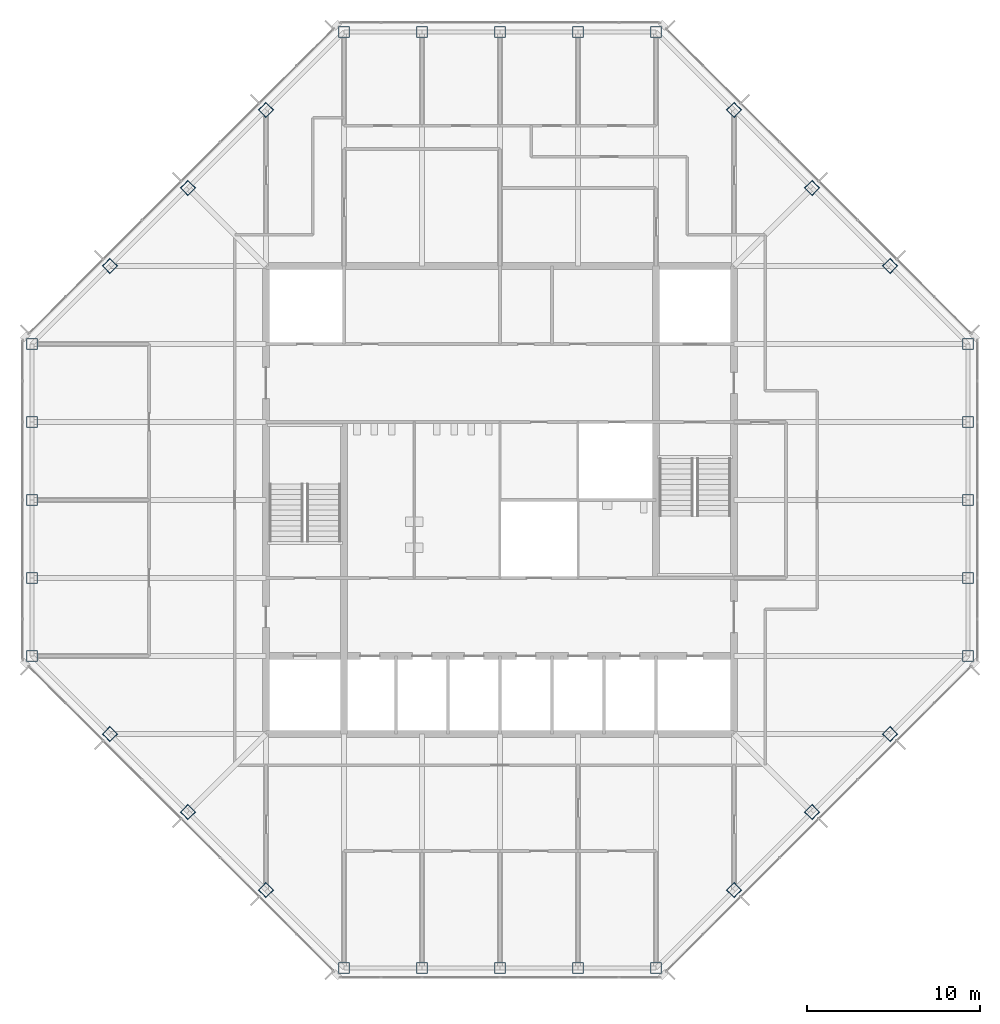
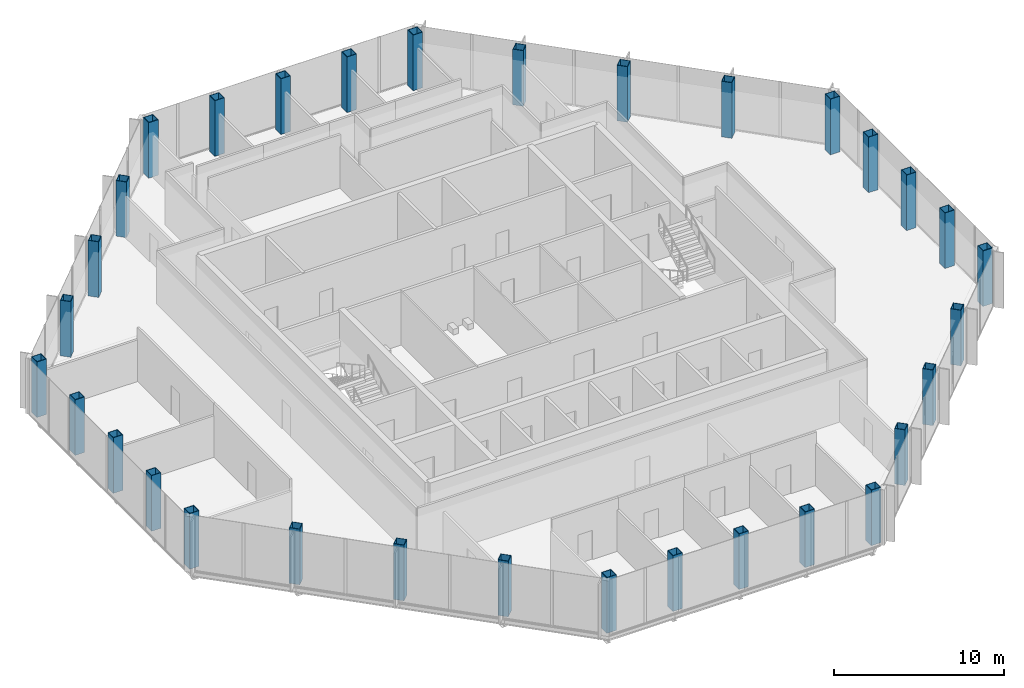
# One storey, part 1 of 14: 32 columns.
"""IFC4 building model written with IfcOpenShell, lengths in metres."""

from ifc_helpers import new_model, si_unit, direction, frame, origin, origin_2d, place, context, subcontext, project, spatial, hollow_rectangle, extrude, material, material_profile, profile_set, type_object, element, save


model = new_model("IFC4")

# Units and contexts
model_context = context("Model", 3, precision=1e-05, world=origin(), true_north=direction((0.0, 1.0)))
body_context = subcontext(model_context, "Body", "Model", "MODEL_VIEW")
ifc_project = project(units=[si_unit("LENGTHUNIT", "METRE"), si_unit("AREAUNIT", "SQUARE_METRE"), si_unit("VOLUMEUNIT", "CUBIC_METRE"), si_unit("PLANEANGLEUNIT", "RADIAN"), si_unit("MASSUNIT", "GRAM", prefix="KILO")], contexts=[model_context])

# Site, building, storey
site_placement = place(None, origin())
site = spatial("IfcSite", under=ifc_project, at=site_placement, CompositionType="ELEMENT")
building_placement = place(site_placement, origin())
building = spatial("IfcBuilding", under=site, at=building_placement, Name="Corais Broadcast Tower", CompositionType="ELEMENT")
storey_placement = place(building_placement, frame((0.0, 0.0, 254.60009765625)))
storey = spatial("IfcBuildingStorey", under=building, at=storey_placement, Name="L59", CompositionType="ELEMENT", Elevation=254.60009765625)

# Columns
ifc_material = material(Name="Steel ASTM A572 Grade 50", Category="steel")
ifc_material_profile = material_profile(ifc_material, hollow_rectangle(XDim=0.64990234375, YDim=0.64990234375, WallThickness=0.031982421875, at=origin_2d()), Name="BOX 650x650x32")
ifc_profile_set = profile_set([ifc_material_profile], Name="Steel ASTM A572 Grade 50")
column_type = type_object("IfcColumnType", Name="Column BOX 650x650x32", PredefinedType="COLUMN", material=ifc_profile_set)
for number, where, z_axis, x_axis, name in (
    (1, (18.0, 0.0, 0.0), (0.0, 0.0, 1.0), (1.0, 0.0, 0.0), "C6 A/7"),
    (2, (22.5, 0.0, 0.0), (0.0, 0.0, 1.0), (1.0, 0.0, 0.0), "C6 A/8"),
    (3, (27.0, 0.0, 0.0), (0.0, 0.0, 1.0), (1.0, 0.0, 0.0), "C6 A/9"),
    (4, (31.5, 0.0, 0.0), (0.0, 0.0, 1.0), (1.0, 0.0, 0.0), "C6 A/10"),
    (5, (36.0, 0.0, 0.0), (0.0, 0.0, 1.0), (1.0, 0.0, 0.0), "C6 A/11"),
    (6, (54.0, 18.0, 0.0), (0.0, 0.0, 1.0), (1.0, 0.0, 0.0), "C6 E/15"),
    (7, (54.0, 22.5, 0.0), (0.0, 0.0, 1.0), (1.0, 0.0, 0.0), "C6 F/15"),
    (8, (54.0, 27.0, 0.0), (0.0, 0.0, 1.0), (1.0, 0.0, 0.0), "C6 G/15"),
    (9, (54.0, 31.5, 0.0), (0.0, 0.0, 1.0), (1.0, 0.0, 0.0), "C6 H/15"),
    (10, (54.0, 36.0, 0.0), (0.0, 0.0, 1.0), (1.0, 0.0, 0.0), "C6 J/15"),
    (11, (36.0, 54.0, 0.0), (0.0, 0.0, 1.0), (1.0, 0.0, 0.0), "C6 N/11"),
    (12, (31.5, 54.0, 0.0), (0.0, 0.0, 1.0), (1.0, 0.0, 0.0), "C6 N/10"),
    (13, (27.0, 54.0, 0.0), (0.0, 0.0, 1.0), (1.0, 0.0, 0.0), "C6 N/9"),
    (14, (22.5, 54.0, 0.0), (0.0, 0.0, 1.0), (1.0, 0.0, 0.0), "C6 N/8"),
    (15, (18.0, 54.0, 0.0), (0.0, 0.0, 1.0), (1.0, 0.0, 0.0), "C6 N/7"),
    (16, (0.0, 36.0, 0.0), (0.0, 0.0, 1.0), (1.0, 0.0, 0.0), "C6 J/3"),
    (17, (0.0, 31.5, 0.0), (0.0, 0.0, 1.0), (1.0, 0.0, 0.0), "C6 H/3"),
    (18, (0.0, 27.0, 0.0), (0.0, 0.0, 1.0), (1.0, 0.0, 0.0), "C6 G/3"),
    (19, (0.0, 22.5, 0.0), (0.0, 0.0, 1.0), (1.0, 0.0, 0.0), "C6 F/3"),
    (20, (0.0, 18.0, 0.0), (0.0, 0.0, 1.0), (1.0, 0.0, 0.0), "C6 E/3"),
    (21, (13.5, 4.5, 0.0), (0.0, 0.0, 1.0), (0.707106781187, 0.707106781187, 0.0), "C6 B/6"),
    (22, (9.0, 9.0, 0.0), (0.0, 0.0, 1.0), (0.707106781187, 0.707106781187, 0.0), "C6 C/5"),
    (23, (4.5, 13.5, 0.0), (0.0, 0.0, 1.0), (0.707106781187, 0.707106781187, 0.0), "C6 D/4"),
    (24, (40.5, 4.5, 0.0), (0.0, 0.0, 1.0), (0.707106781187, 0.707106781187, 0.0), "C6 B/12"),
    (25, (45.0, 9.0, 0.0), (0.0, 0.0, 1.0), (0.707106781187, 0.707106781187, 0.0), "C6 C/13"),
    (26, (49.5, 13.5, 0.0), (0.0, 0.0, 1.0), (0.707106781187, 0.707106781187, 0.0), "C6 D/14"),
    (27, (49.5, 40.5, 0.0), (0.0, 0.0, 1.0), (0.707106781187, 0.707106781187, 0.0), "C6 K/14"),
    (28, (45.0, 45.0, 0.0), (0.0, 0.0, 1.0), (0.707106781187, 0.707106781187, 0.0), "C6 L/13"),
    (29, (40.5, 49.5, 0.0), (0.0, 0.0, 1.0), (0.707106781187, 0.707106781187, 0.0), "C6 M/12"),
    (30, (4.5, 40.5, 0.0), (0.0, 0.0, 1.0), (0.707106781187, 0.707106781187, 0.0), "C6 K/4"),
    (31, (9.0, 45.0, 0.0), (0.0, 0.0, 1.0), (0.707106781187, 0.707106781187, 0.0), "C6 L/5"),
    (32, (13.5, 49.5, 0.0), (0.0, 0.0, 1.0), (0.707106781187, 0.707106781187, 0.0), "C6 M/6"),
):
    element("IfcColumn", number, at=place(storey_placement, frame(where, z_axis=z_axis, x_axis=x_axis)), inside=storey, type_object=column_type, Name=name, PredefinedType="COLUMN", context=body_context, shape_type="SweptSolid", body=[
        extrude(hollow_rectangle(XDim=0.64990234375, YDim=0.64990234375, WallThickness=0.031982421875, at=origin_2d()), origin(), (0.0, 0.0, 1.0), 4.0),
    ])

save(model, "model.ifc")
